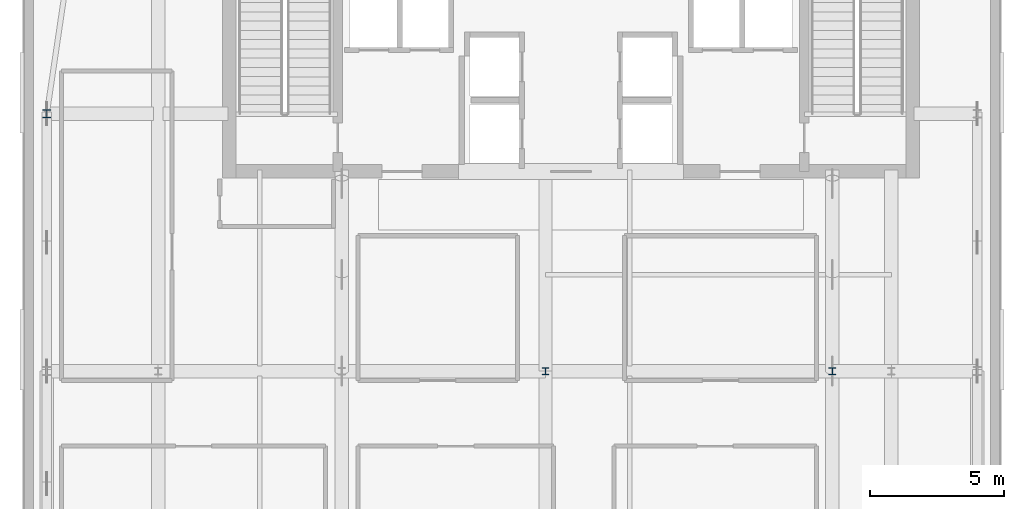
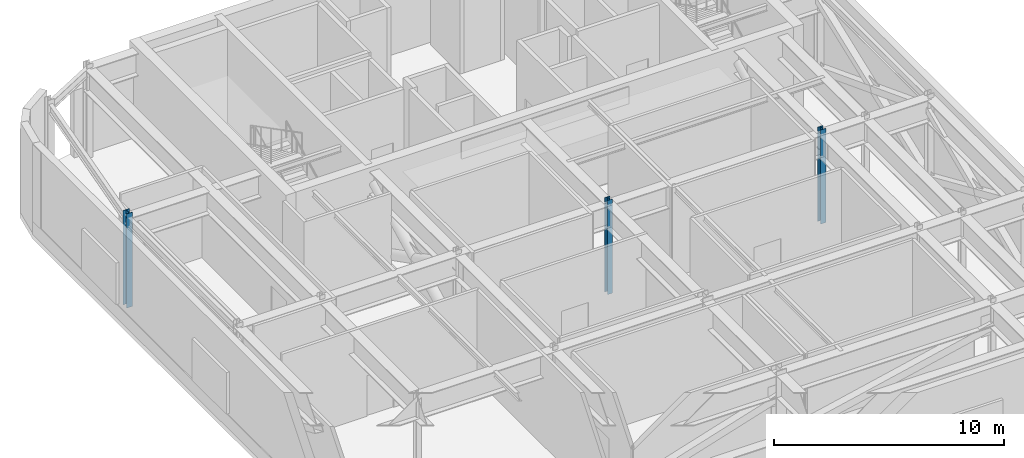
# One storey, part 2 of 13: 3 columns.
"""IFC4 building model written with IfcOpenShell, lengths in metres."""

from ifc_helpers import new_model, si_unit, direction, frame, origin, origin_2d, place, context, subcontext, project, spatial, i_section, extrude, source, transform, mapped, material, material_profile, profile_set, type_object, type_shapes, element, save


model = new_model("IFC4")

# Units and contexts
model_context = context("Model", 3, precision=1e-05, world=origin(), true_north=direction((0.0, 1.0)))
body_context = subcontext(model_context, "Body", "Model", "MODEL_VIEW")
ifc_project = project(units=[si_unit("LENGTHUNIT", "METRE"), si_unit("AREAUNIT", "SQUARE_METRE"), si_unit("VOLUMEUNIT", "CUBIC_METRE"), si_unit("PLANEANGLEUNIT", "RADIAN"), si_unit("MASSUNIT", "GRAM", prefix="KILO")], contexts=[model_context])

# Site, building, storey
site_placement = place(None, origin())
site = spatial("IfcSite", under=ifc_project, at=site_placement, CompositionType="ELEMENT")
building_placement = place(site_placement, origin())
building = spatial("IfcBuilding", under=site, at=building_placement, Name="Tolvann Quenvar Hotel", CompositionType="ELEMENT")
storey_placement = place(building_placement, frame((0.0, 0.0, 270.050048828125)))
storey = spatial("IfcBuildingStorey", under=building, at=storey_placement, Name="L72", CompositionType="ELEMENT", Elevation=270.050048828125)

# Columns
ifc_material = material(Name="Steel Grade 350", Category="steel")
ifc_material_profile_1 = material_profile(ifc_material, i_section(OverallWidth=0.306884765625, OverallDepth=0.31494140625, WebThickness=0.011962890625, FlangeThickness=0.018798828125, FilletRadius=0.0166015625, at=origin_2d()), Name="310UC118")
ifc_profile_set_1 = profile_set([ifc_material_profile_1], Name="Steel Grade 350")
column_type_1 = type_object("IfcColumnType", Name="COL_310UC118", PredefinedType="COLUMN", material=ifc_profile_set_1)
shared_shape_1 = source(origin(), body_context, "Body", "SweptSolid", [
    extrude(i_section(OverallWidth=0.306884765625, OverallDepth=0.31494140625, WebThickness=0.011962890625, FlangeThickness=0.018798828125, FilletRadius=0.0166015625, at=origin_2d()), origin(), (0.0, 0.0, 1.0), 5.0),
])
type_shapes(column_type_1, [shared_shape_1])
column_placement = place(storey_placement, frame((3.449951171875, 34.0, 0.0), z_axis=(0.0, 0.0, 1.0), x_axis=(1.0, 0.0, 0.0)))
element("IfcColumn", 1, at=column_placement, inside=storey, type_object=column_type_1, Name="Column BD6 (L72)", PredefinedType="COLUMN", context=body_context, shape_type="MappedRepresentation", body=[
    mapped(shared_shape_1, transform((0.0, 0.0, 0.0), x_axis=(1.0, 0.0, 0.0), y_axis=(0.0, 1.0, 0.0), z_axis=(0.0, 0.0, 1.0), scale=1.0)),
])
ifc_material_profile_2 = material_profile(ifc_material, i_section(OverallWidth=0.256103515625, OverallDepth=0.260009765625, WebThickness=0.010498046875, FlangeThickness=0.017333984375, FilletRadius=0.013916015625, at=origin_2d()), Name="250UC90")
ifc_profile_set_2 = profile_set([ifc_material_profile_2], Name="Steel Grade 350")
column_type_2 = type_object("IfcColumnType", Name="COL_250UC90", PredefinedType="COLUMN", material=ifc_profile_set_2)
shared_shape_2 = source(origin(), body_context, "Body", "SweptSolid", [
    extrude(i_section(OverallWidth=0.256103515625, OverallDepth=0.260009765625, WebThickness=0.010498046875, FlangeThickness=0.017333984375, FilletRadius=0.013916015625, at=origin_2d()), origin(), (0.0, 0.0, 1.0), 5.0),
])
type_shapes(column_type_2, [shared_shape_2])
for number, where, z_axis, x_axis, name in (
    (2, (22.050048828125, 24.39990234375, 0.0), (0.0, 0.0, 1.0), (1.0, 0.0, 0.0), "Column E5 (L72)"),
    (3, (32.75, 24.39990234375, 0.0), (0.0, 0.0, 1.0), (1.0, 0.0, 0.0), "Column FP5 (L72)"),
):
    element("IfcColumn", number, at=place(storey_placement, frame(where, z_axis=z_axis, x_axis=x_axis)), inside=storey, type_object=column_type_2, Name=name, PredefinedType="COLUMN", context=body_context, shape_type="MappedRepresentation", body=[
        mapped(shared_shape_2, transform((0.0, 0.0, 0.0), x_axis=(1.0, 0.0, 0.0), y_axis=(0.0, 1.0, 0.0), z_axis=(0.0, 0.0, 1.0), scale=1.0)),
    ])

save(model, "model.ifc")
